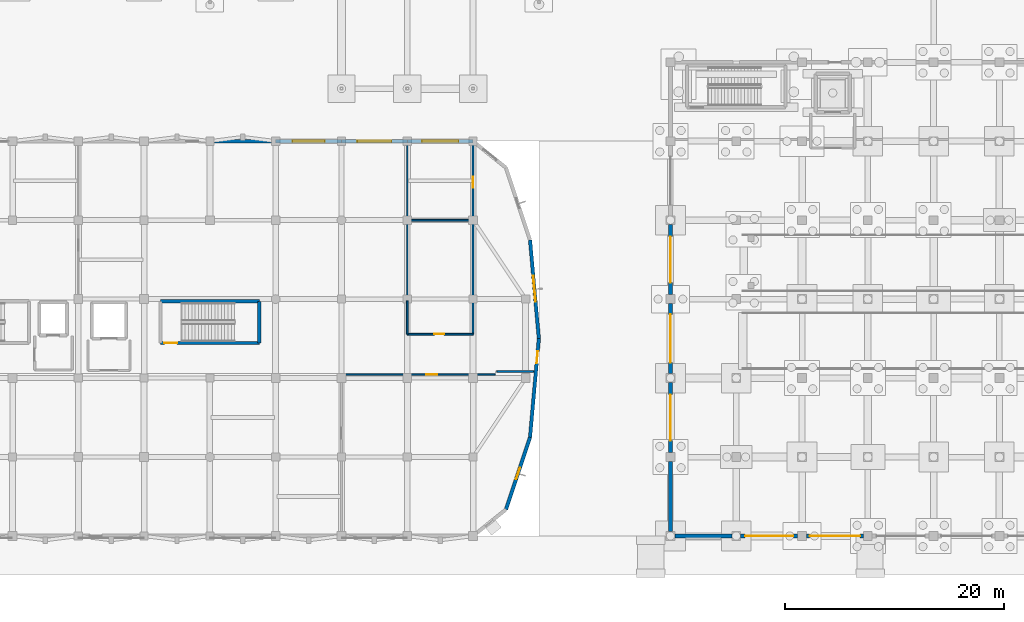
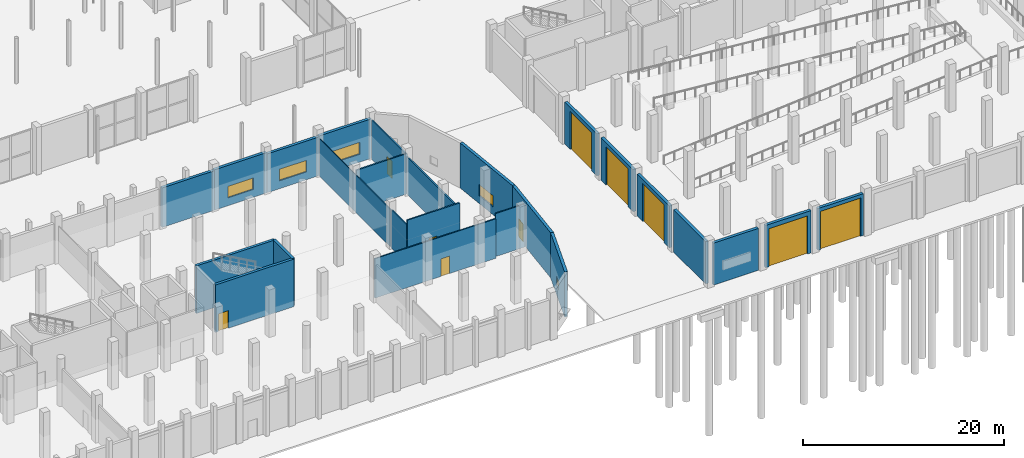
# One storey, part 78 of 103: 25 walls, 10 doors, 5 windows, 15 openings.
"""IFC4 building model written with IfcOpenShell, lengths in metres."""

import ifcopenshell
import ifcopenshell.guid

model = None  # the IFC model being written
_history = None  # IfcOwnerHistory: only IFC2X3 demands one
_inside = {}  # id of a spatial element -> (the spatial element, [elements in it])
_under = {}  # id of a project, library or spatial element -> (it, [spatial elements below it])
_declared = {}  # id of a project -> (the project, [libraries it declares])
_typed = {}  # id of a type object -> (the type object, [elements of that type])
_made_of = {}  # id of a material, layer set ... -> (it, [elements and type objects made of it])


def new_model(schema):
    """Start an empty IFC model of exactly this schema.

    Asked for "IFC4X3", IfcOpenShell would pick the latest addendum, in which some entities
    have other attributes; the version numbers below select the first issue.
    IFC2X3 requires an IfcOwnerHistory on every rooted entity: one is made here for all.
    """
    global model, _history
    if schema == "IFC4X3":
        model = ifcopenshell.file(schema_version=(4, 3, 0, 0))
    else:
        model = ifcopenshell.file(schema=schema)
    _inside.clear()
    _under.clear()
    _declared.clear()
    _typed.clear()
    _made_of.clear()
    _history = None
    if model.schema == "IFC2X3":
        org = make("IfcOrganization", Name="unknown")
        user = make(
            "IfcPersonAndOrganization",
            ThePerson=make("IfcPerson", FamilyName="unknown"),
            TheOrganization=org,
        )
        app = make(
            "IfcApplication",
            ApplicationDeveloper=org,
            Version="unknown",
            ApplicationFullName="unknown",
            ApplicationIdentifier="unknown",
        )
        _history = make(
            "IfcOwnerHistory",
            OwningUser=user,
            OwningApplication=app,
            ChangeAction="ADDED",
            CreationDate=0,
        )
    return model


def make(cls, **values):
    """One entity of the class cls with the attributes given. An attribute that is None is left unset."""
    return model.create_entity(
        cls, **{name: value for name, value in values.items() if value is not None}
    )


def rooted(cls, **values):
    """An entity with a GlobalId (a new one), such as an element, a storey or a relation."""
    return make(cls, GlobalId=ifcopenshell.guid.new(), OwnerHistory=_history, **values)


def si_unit(unit_type, name, prefix=None):
    """IfcSIUnit, for example si_unit("LENGTHUNIT", "METRE", prefix="MILLI")."""
    return make("IfcSIUnit", UnitType=unit_type, Prefix=prefix, Name=name)


def assignment(units):
    """IfcUnitAssignment: the units of a project."""
    return None if units is None else make("IfcUnitAssignment", Units=units)


def point(xyz):
    """IfcCartesianPoint."""
    return None if xyz is None else make("IfcCartesianPoint", Coordinates=xyz)


def direction(xyz):
    """IfcDirection."""
    return None if xyz is None else make("IfcDirection", DirectionRatios=xyz)


def frame(location, z_axis=None, x_axis=None):
    """IfcAxis2Placement3D, a coordinate frame: its origin and axes. An axis left out is left unset."""
    return make(
        "IfcAxis2Placement3D",
        Location=point(location),
        Axis=direction(z_axis),
        RefDirection=direction(x_axis),
    )


def frame_2d(location, x_axis=None):
    """IfcAxis2Placement2D, a coordinate frame in the plane: its origin and x axis."""
    return make(
        "IfcAxis2Placement2D", Location=point(location), RefDirection=direction(x_axis)
    )


def origin():
    """The frame at (0, 0, 0) with its axes left unset."""
    return frame((0.0, 0.0, 0.0))


def place(relative_to, where):
    """IfcLocalPlacement: puts the frame where relative to a parent placement (None: the world)."""
    return make(
        "IfcLocalPlacement", PlacementRelTo=relative_to, RelativePlacement=where
    )


def context(
    kind, dimensions, precision=None, world=None, true_north=None, identifier=None
):
    """IfcGeometricRepresentationContext, for example the 3D "Model" context."""
    return make(
        "IfcGeometricRepresentationContext",
        ContextIdentifier=identifier,
        ContextType=kind,
        CoordinateSpaceDimension=dimensions,
        Precision=precision,
        WorldCoordinateSystem=world,
        TrueNorth=true_north,
    )


def subcontext(parent, identifier, kind, view, scale=None):
    """IfcGeometricRepresentationSubContext, for example "Body" below "Model"."""
    return make(
        "IfcGeometricRepresentationSubContext",
        ContextIdentifier=identifier,
        ContextType=kind,
        ParentContext=parent,
        TargetScale=scale,
        TargetView=view,
    )


def project(units=None, contexts=None):
    """IfcProject with its units and contexts."""
    return rooted(
        "IfcProject",
        Name="project",
        RepresentationContexts=contexts,
        UnitsInContext=assignment(units),
    )


def spatial(cls, under=None, at=None, **own):
    """A site, building, storey or space (cls), placed at a placement, below another one or the project."""
    s = rooted(cls, ObjectPlacement=at, **own)
    if under is not None:
        _under.setdefault(under.id(), (under, []))[1].append(s)
    return s


def profile(cls, at=None, kind="AREA", **sizes):
    """A parametric profile (cls). Its sizes go by their IFC names, for example OverallWidth=200.0."""
    return make(cls, ProfileType=kind, Position=at, **sizes)


def rectangle(**sizes):
    """IfcRectangleProfileDef."""
    return profile("IfcRectangleProfileDef", **sizes)


def extrude(swept, where, along, depth):
    """IfcExtrudedAreaSolid: the profile swept, set in the frame where, extruded along a direction by depth."""
    return make(
        "IfcExtrudedAreaSolid",
        SweptArea=swept,
        Position=where,
        ExtrudedDirection=direction(along),
        Depth=depth,
    )


def shape(context_of_items, identifier, shape_type, items):
    """IfcShapeRepresentation: the items that make up one representation, for example the "Body"."""
    return make(
        "IfcShapeRepresentation",
        ContextOfItems=context_of_items,
        RepresentationIdentifier=identifier,
        RepresentationType=shape_type,
        Items=items,
    )


def material(Name=None, Category=None):
    """IfcMaterial."""
    return make("IfcMaterial", Name=Name, Category=Category)


def layer(
    of_material, thickness, ventilated=None, Name=None, Category=None, Priority=None
):
    """IfcMaterialLayer: one layer of a wall or slab, of a material (None: an air gap)."""
    return make(
        "IfcMaterialLayer",
        Material=of_material,
        LayerThickness=thickness,
        IsVentilated=ventilated,
        Name=Name,
        Category=Category,
        Priority=Priority,
    )


def layer_set(layers, Name=None):
    """IfcMaterialLayerSet."""
    return make("IfcMaterialLayerSet", MaterialLayers=layers, LayerSetName=Name)


def made_of(thing, what):
    """Note that an element or type object is made of a material, layer set ...; save() writes the relation."""
    if what is not None:
        _made_of.setdefault(what.id(), (what, []))[1].append(thing)
    return thing


def type_object(cls, material=None, **own):
    """A type object (cls), such as IfcWallType, which elements share."""
    return made_of(rooted(cls, **own), material)


def element(
    cls,
    number,
    at=None,
    inside=None,
    cuts=None,
    type_object=None,
    material=None,
    context=None,
    identifier="Body",
    shape_type=None,
    held_by="IfcProductDefinitionShape",
    body=None,
    shapes=None,
    **own,
):
    """One element of the class cls, such as IfcWall. Its Tag is "e" and its number.

    at: its placement. inside: the storey or other place that contains it. cuts: it is an
    opening in that element (IfcRelVoidsElement). A single representation is given by context,
    identifier, shape_type and body (its items); several are given by shapes. held_by: the class
    of the entity that holds the representations. save() writes the other relations.
    """
    e = rooted(cls, Tag="e%d" % number, ObjectPlacement=at, **own)
    if body is not None:
        shapes = [shape(context, identifier, shape_type, body)]
    if shapes is not None:
        e.Representation = make(held_by, Representations=shapes)
    if inside is not None:
        _inside.setdefault(inside.id(), (inside, []))[1].append(e)
    if cuts is not None:
        rooted(
            "IfcRelVoidsElement", RelatingBuildingElement=cuts, RelatedOpeningElement=e
        )
    if type_object is not None:
        _typed.setdefault(type_object.id(), (type_object, []))[1].append(e)
    return made_of(e, material)


def fill(opening, filler):
    """IfcRelFillsElement: the door or window that sits in an opening."""
    return rooted(
        "IfcRelFillsElement",
        RelatingOpeningElement=opening,
        RelatedBuildingElement=filler,
    )


def aggregate(whole, parts):
    """IfcRelAggregates: a whole, such as a stair, and the parts it consists of."""
    return rooted("IfcRelAggregates", RelatingObject=whole, RelatedObjects=parts)


def save(model, path):
    """Write the relations noted so far, then the file.

    IfcRelAggregates (storeys below a building ...), IfcRelContainedInSpatialStructure (elements
    in a storey), IfcRelDefinesByType, IfcRelAssociatesMaterial and IfcRelDeclares: one each for
    every whole, place, type object, material and project.
    """
    for whole, parts in _under.values():
        aggregate(whole, parts)
    for where, things in _inside.values():
        rooted(
            "IfcRelContainedInSpatialStructure",
            RelatedElements=things,
            RelatingStructure=where,
        )
    for kind, things in _typed.values():
        rooted("IfcRelDefinesByType", RelatedObjects=things, RelatingType=kind)
    for what, things in _made_of.values():
        rooted("IfcRelAssociatesMaterial", RelatedObjects=things, RelatingMaterial=what)
    for by, libraries in _declared.values():
        rooted("IfcRelDeclares", RelatingContext=by, RelatedDefinitions=libraries)
    model.write(path)


model = new_model("IFC4")

# Units and contexts
model_context = context("Model", 3, precision=1e-05, world=origin(), true_north=direction((0.0, 1.0)))
body_context = subcontext(model_context, "Body", "Model", "MODEL_VIEW")
ifc_project = project(units=[si_unit("LENGTHUNIT", "METRE"), si_unit("AREAUNIT", "SQUARE_METRE"), si_unit("VOLUMEUNIT", "CUBIC_METRE"), si_unit("PLANEANGLEUNIT", "RADIAN"), si_unit("MASSUNIT", "GRAM", prefix="KILO")], contexts=[model_context])

# Site, building, storey
site_placement = place(None, origin())
site = spatial("IfcSite", under=ifc_project, at=site_placement, CompositionType="ELEMENT")
building_placement = place(site_placement, origin())
building = spatial("IfcBuilding", under=site, at=building_placement, Name="Dunvalen Ferry Terminal", CompositionType="ELEMENT")
storey_placement = place(building_placement, origin())
storey = spatial("IfcBuildingStorey", under=building, at=storey_placement, Name="L00", CompositionType="ELEMENT", Elevation=0.0)

# Wall, opening, window
ifc_material_1 = material(Name="Precast concrete C40/50", Category="concrete")
ifc_layer_1 = layer(ifc_material_1, 0.320068359375, Name="Precast concrete C40/50")
ifc_layer_set_1 = layer_set([ifc_layer_1], Name="Precast concrete C40/50")
wall_type_1 = type_object("IfcWallType", Name="ENV-WL-SPN320", PredefinedType="SOLIDWALL", material=ifc_layer_set_1)
wall_1_placement = place(storey_placement, frame((93.0, 2.41162109375, 0.0), z_axis=(0.0, 0.0, 1.0), x_axis=(0.31624885857, 0.948676266939, 0.0)))
wall_1 = element("IfcWall", 1, at=wall_1_placement, inside=storey, type_object=wall_type_1, Name="L00 Streamline Moderne Facade Wall 03.01", PredefinedType="SOLIDWALL", context=body_context, shape_type="SweptSolid", body=[
    extrude(rectangle(XDim=6.94482421875, YDim=0.320068359375, at=frame_2d((3.472412109375, 0.0))), origin(), (0.0, 0.0, 1.0), 5.4599609375),
])
opening_1_placement = place(wall_1_placement, frame((2.92236328125, 0.0, 1.14990234375)))
opening_1 = element("IfcOpeningElement", 2, at=opening_1_placement, cuts=wall_1, Name="Opening W-41", PredefinedType="OPENING", context=body_context, shape_type="SweptSolid", body=[
    extrude(rectangle(XDim=1.10009765625, YDim=1.10009765625, at=frame_2d((0.550048828125, 0.550048828125))), frame((0.0, 0.169921875, 0.0), z_axis=(0.0, -1.0, 0.0), x_axis=(1.0, 0.0, 0.0)), (0.0, 0.0, 1.0), 0.340087890625),
])
ifc_material_2 = material(Name="Thermally broken aluminium and double glazing", Category="aluminium")
window_type_1 = type_object("IfcWindowType", Name="ENV-WIN-PRT-41", PartitioningType="SINGLE_PANEL", PredefinedType="WINDOW", material=ifc_material_2)
window_1_placement = place(opening_1_placement, origin())
window_1 = element("IfcWindow", 3, at=window_1_placement, inside=storey, type_object=window_type_1, Name="L00 Streamline Ribbon Window 03.01", OverallHeight=1.10009765625, OverallWidth=1.10009765625, PartitioningType="SINGLE_PANEL", PredefinedType="WINDOW", context=body_context, shape_type="SweptSolid", body=[
    extrude(rectangle(XDim=1.10009765625, YDim=1.10009765625, at=frame_2d((0.550048828125, 0.550048828125))), frame((0.0, 0.030029296875, 0.0), z_axis=(0.0, -1.0, 0.0), x_axis=(1.0, 0.0, 0.0)), (0.0, 0.0, 1.0), 0.06005859375),
])
fill(opening_1, window_1)

# Wall, opening, door
wall_2_placement = place(storey_placement, frame((95.1962890625, 9.0, 0.0), z_axis=(0.0, 0.0, 1.0), x_axis=(0.088947255406, 0.996036337568, 0.0)))
wall_2 = element("IfcWall", 4, at=wall_2_placement, inside=storey, type_object=wall_type_1, Name="L00 Streamline Moderne Facade Wall 04.01", PredefinedType="SOLIDWALL", context=body_context, shape_type="SweptSolid", body=[
    extrude(rectangle(XDim=9.035888671875, YDim=0.320068359375, at=frame_2d((4.51806640625, 0.0))), origin(), (0.0, 0.0, 1.0), 5.4599609375),
])
opening_2_placement = place(wall_2_placement, frame((6.785888671875, 0.0, 0.0)))
opening_2 = element("IfcOpeningElement", 5, at=opening_2_placement, cuts=wall_2, Name="Opening ED-06", PredefinedType="OPENING", context=body_context, shape_type="SweptSolid", body=[
    extrude(rectangle(XDim=1.10009765625, YDim=2.14990234375, at=frame_2d((0.550048828125, 1.074951171875))), frame((0.0, 0.169921875, 0.0), z_axis=(0.0, -1.0, 0.0), x_axis=(1.0, 0.0, 0.0)), (0.0, 0.0, 1.0), 0.340087890625),
])
ifc_material_3 = material(Name="Marine grade powder-coated aluminium and laminated glass", Category="aluminium")
door_type_1 = type_object("IfcDoorType", Name="ENV-DR-EXT-1100", OperationType="NOTDEFINED", PredefinedType="DOOR", material=ifc_material_3)
door_1_placement = place(opening_2_placement, frame((1.10009765625, 0.0, 0.0), z_axis=(0.0, 0.0, 1.0), x_axis=(-1.0, 0.0, 0.0)))
door_1 = element("IfcDoor", 6, at=door_1_placement, inside=storey, type_object=door_type_1, Name="L00 Maritime Wing East Prow Corridor Exit Door", OperationType="SINGLE_SWING_RIGHT", OverallHeight=2.14990234375, OverallWidth=1.10009765625, PredefinedType="DOOR", context=body_context, shape_type="SweptSolid", body=[
    extrude(rectangle(XDim=1.10009765625, YDim=2.14990234375, at=frame_2d((0.550048828125, 1.074951171875))), frame((0.0, 0.02490234375, 0.0), z_axis=(0.0, -1.0, 0.0), x_axis=(1.0, 0.0, 0.0)), (0.0, 0.0, 1.0), 0.050048828125),
])
fill(opening_2, door_1)

# Wall, opening, window
wall_3_placement = place(storey_placement, frame((96.0, 18.0, 0.0), z_axis=(0.0, 0.0, 1.0), x_axis=(-0.088947255406, 0.996036337568, 0.0)))
wall_3 = element("IfcWall", 7, at=wall_3_placement, inside=storey, type_object=wall_type_1, Name="L00 Streamline Moderne Facade Wall 05.01", PredefinedType="SOLIDWALL", context=body_context, shape_type="SweptSolid", body=[
    extrude(rectangle(XDim=9.035888671875, YDim=0.320068359375, at=frame_2d((4.51806640625, 0.0))), origin(), (0.0, 0.0, 1.0), 5.4599609375),
])
opening_3_placement = place(wall_3_placement, frame((3.36865234375, 0.0, 0.949951171875)))
opening_3 = element("IfcOpeningElement", 8, at=opening_3_placement, cuts=wall_3, Name="Opening W-10", PredefinedType="OPENING", context=body_context, shape_type="SweptSolid", body=[
    extrude(rectangle(XDim=2.39990234375, YDim=1.35009765625, at=frame_2d((1.199951171875, 0.675048828125))), frame((0.0, 0.169921875, 0.0), z_axis=(0.0, -1.0, 0.0), x_axis=(1.0, 0.0, 0.0)), (0.0, 0.0, 1.0), 0.340087890625),
])
window_type_2 = type_object("IfcWindowType", Name="ENV-WIN-RIB-10", PartitioningType="SINGLE_PANEL", PredefinedType="WINDOW", material=ifc_material_2)
window_2_placement = place(opening_3_placement, origin())
window_2 = element("IfcWindow", 9, at=window_2_placement, inside=storey, type_object=window_type_2, Name="L00 Streamline Ribbon Window 05.01", OverallHeight=1.35009765625, OverallWidth=2.39990234375, PartitioningType="SINGLE_PANEL", PredefinedType="WINDOW", context=body_context, shape_type="SweptSolid", body=[
    extrude(rectangle(XDim=2.39990234375, YDim=1.35009765625, at=frame_2d((1.199951171875, 0.675048828125))), frame((0.0, 0.030029296875, 0.0), z_axis=(0.0, -1.0, 0.0), x_axis=(1.0, 0.0, 0.0)), (0.0, 0.0, 1.0), 0.06005859375),
])
fill(opening_3, window_2)

wall_4_placement = place(storey_placement, frame((90.0, 36.0, 0.0), z_axis=(0.0, 0.0, 1.0), x_axis=(-1.0, 0.0, 0.0)))
wall_4 = element("IfcWall", 10, at=wall_4_placement, inside=storey, type_object=wall_type_1, Name="L00 Streamline Moderne Facade Wall 08.01", PredefinedType="SOLIDWALL", context=body_context, shape_type="SweptSolid", body=[
    extrude(rectangle(XDim=6.0, YDim=0.320068359375, at=frame_2d((3.0, 0.0))), origin(), (0.0, 0.0, 1.0), 4.7900390625),
])
opening_4_placement = place(wall_4_placement, frame((1.35009765625, 0.0, 0.949951171875)))
opening_4 = element("IfcOpeningElement", 11, at=opening_4_placement, cuts=wall_4, Name="Opening W-25", PredefinedType="OPENING", context=body_context, shape_type="SweptSolid", body=[
    extrude(rectangle(XDim=3.300048828125, YDim=1.449951171875, at=frame_2d((1.64990234375, 0.72509765625))), frame((0.0, 0.169921875, 0.0), z_axis=(0.0, -1.0, 0.0), x_axis=(1.0, 0.0, 0.0)), (0.0, 0.0, 1.0), 0.340087890625),
])
window_type_3 = type_object("IfcWindowType", Name="ENV-WIN-RIB-25", PartitioningType="SINGLE_PANEL", PredefinedType="WINDOW", material=ifc_material_2)
window_3_placement = place(opening_4_placement, origin())
window_3 = element("IfcWindow", 12, at=window_3_placement, inside=storey, type_object=window_type_3, Name="L00 Streamline Ribbon Window 08.01", OverallHeight=1.449951171875, OverallWidth=3.300048828125, PartitioningType="SINGLE_PANEL", PredefinedType="WINDOW", context=body_context, shape_type="SweptSolid", body=[
    extrude(rectangle(XDim=3.300048828125, YDim=1.449951171875, at=frame_2d((1.64990234375, 0.72509765625))), frame((0.0, 0.030029296875, 0.0), z_axis=(0.0, -1.0, 0.0), x_axis=(1.0, 0.0, 0.0)), (0.0, 0.0, 1.0), 0.06005859375),
])
fill(opening_4, window_3)

wall_5_placement = place(storey_placement, frame((84.0, 36.0, 0.0), z_axis=(0.0, 0.0, 1.0), x_axis=(-1.0, 0.0, 0.0)))
wall_5 = element("IfcWall", 13, at=wall_5_placement, inside=storey, type_object=wall_type_1, Name="L00 Streamline Moderne Facade Wall 08.02", PredefinedType="SOLIDWALL", context=body_context, shape_type="SweptSolid", body=[
    extrude(rectangle(XDim=6.0, YDim=0.320068359375, at=frame_2d((3.0, 0.0))), origin(), (0.0, 0.0, 1.0), 4.68994140625),
])
opening_5_placement = place(wall_5_placement, frame((1.449951171875, 0.0, 0.949951171875)))
opening_5 = element("IfcOpeningElement", 14, at=opening_5_placement, cuts=wall_5, Name="Opening W-26", PredefinedType="OPENING", context=body_context, shape_type="SweptSolid", body=[
    extrude(rectangle(XDim=3.10009765625, YDim=1.39990234375, at=frame_2d((1.550048828125, 0.699951171875))), frame((0.0, 0.169921875, 0.0), z_axis=(0.0, -1.0, 0.0), x_axis=(1.0, 0.0, 0.0)), (0.0, 0.0, 1.0), 0.340087890625),
])
window_type_4 = type_object("IfcWindowType", Name="ENV-WIN-RIB-26", PartitioningType="SINGLE_PANEL", PredefinedType="WINDOW", material=ifc_material_2)
window_4_placement = place(opening_5_placement, origin())
window_4 = element("IfcWindow", 15, at=window_4_placement, inside=storey, type_object=window_type_4, Name="L00 Streamline Ribbon Window 08.02", OverallHeight=1.39990234375, OverallWidth=3.10009765625, PartitioningType="SINGLE_PANEL", PredefinedType="WINDOW", context=body_context, shape_type="SweptSolid", body=[
    extrude(rectangle(XDim=3.10009765625, YDim=1.39990234375, at=frame_2d((1.550048828125, 0.699951171875))), frame((0.0, 0.030029296875, 0.0), z_axis=(0.0, -1.0, 0.0), x_axis=(1.0, 0.0, 0.0)), (0.0, 0.0, 1.0), 0.06005859375),
])
fill(opening_5, window_4)

wall_6_placement = place(storey_placement, frame((78.0, 36.0, 0.0), z_axis=(0.0, 0.0, 1.0), x_axis=(-1.0, 0.0, 0.0)))
wall_6 = element("IfcWall", 16, at=wall_6_placement, inside=storey, type_object=wall_type_1, Name="L00 Streamline Moderne Facade Wall 08.03", PredefinedType="SOLIDWALL", context=body_context, shape_type="SweptSolid", body=[
    extrude(rectangle(XDim=6.0, YDim=0.320068359375, at=frame_2d((3.0, 0.0))), origin(), (0.0, 0.0, 1.0), 4.889892578125),
])
opening_6_placement = place(wall_6_placement, frame((1.550048828125, 0.0, 0.949951171875)))
opening_6 = element("IfcOpeningElement", 17, at=opening_6_placement, cuts=wall_6, Name="Opening W-27", PredefinedType="OPENING", context=body_context, shape_type="SweptSolid", body=[
    extrude(rectangle(XDim=2.89990234375, YDim=1.39990234375, at=frame_2d((1.449951171875, 0.699951171875))), frame((0.0, 0.169921875, 0.0), z_axis=(0.0, -1.0, 0.0), x_axis=(1.0, 0.0, 0.0)), (0.0, 0.0, 1.0), 0.340087890625),
])
window_type_5 = type_object("IfcWindowType", Name="ENV-WIN-RIB-27", PartitioningType="SINGLE_PANEL", PredefinedType="WINDOW", material=ifc_material_2)
window_5_placement = place(opening_6_placement, origin())
window_5 = element("IfcWindow", 18, at=window_5_placement, inside=storey, type_object=window_type_5, Name="L00 Streamline Ribbon Window 08.03", OverallHeight=1.39990234375, OverallWidth=2.89990234375, PartitioningType="SINGLE_PANEL", PredefinedType="WINDOW", context=body_context, shape_type="SweptSolid", body=[
    extrude(rectangle(XDim=2.89990234375, YDim=1.39990234375, at=frame_2d((1.449951171875, 0.699951171875))), frame((0.0, 0.030029296875, 0.0), z_axis=(0.0, -1.0, 0.0), x_axis=(1.0, 0.0, 0.0)), (0.0, 0.0, 1.0), 0.06005859375),
])
fill(opening_6, window_5)

# Walls
wall_7_placement = place(storey_placement, frame((72.0, 36.0, 0.0), z_axis=(0.0, 0.0, 1.0), x_axis=(-1.0, 0.0, 0.0)))
element("IfcWall", 19, at=wall_7_placement, inside=storey, type_object=wall_type_1, Name="L00 Streamline Moderne Facade Wall 08.04", PredefinedType="SOLIDWALL", context=body_context, shape_type="SweptSolid", body=[
    extrude(rectangle(XDim=6.0, YDim=0.320068359375, at=frame_2d((3.0, 0.0))), origin(), (0.0, 0.0, 1.0), 4.7900390625),
])
ifc_material_4 = material(Name="Concrete C40/50", Category="concrete")
ifc_layer_2 = layer(ifc_material_4, 0.330078125, Name="Concrete C40/50")
ifc_layer_set_2 = layer_set([ifc_layer_2], Name="Concrete C40/50")
wall_type_2 = type_object("IfcWallType", Name="ENV-WL-VEH330", PredefinedType="SOLIDWALL", material=ifc_layer_set_2)
wall_8_placement = place(storey_placement, frame((108.402099609375, 0.0, 0.0), z_axis=(0.0, 0.0, 1.0), x_axis=(1.0, 0.0, 0.0)))
element("IfcWall", 20, at=wall_8_placement, inside=storey, type_object=wall_type_2, Name="L00 Vehicle Marshalling South Portal Wall 01", PredefinedType="SOLIDWALL", context=body_context, shape_type="SweptSolid", body=[
    extrude(rectangle(XDim=5.19580078125, YDim=0.330078125, at=frame_2d((2.597900390625, 0.0))), origin(), (0.0, 0.0, 1.0), 5.080078125),
])

# Wall, opening, door
wall_9_placement = place(storey_placement, frame((114.402099609375, 0.0, 0.0), z_axis=(0.0, 0.0, 1.0), x_axis=(1.0, 0.0, 0.0)))
wall_9 = element("IfcWall", 21, at=wall_9_placement, inside=storey, type_object=wall_type_2, Name="L00 Vehicle Marshalling South Portal Wall 02", PredefinedType="SOLIDWALL", context=body_context, shape_type="SweptSolid", body=[
    extrude(rectangle(XDim=5.19580078125, YDim=0.330078125, at=frame_2d((2.597900390625, 0.0))), origin(), (0.0, 0.0, 1.0), 5.1298828125),
])
opening_7_placement = place(wall_9_placement, frame((0.39794921875, 0.0, 0.0)))
opening_7 = element("IfcOpeningElement", 22, at=opening_7_placement, cuts=wall_9, Name="Opening VG-02", PredefinedType="OPENING", context=body_context, shape_type="SweptSolid", body=[
    extrude(rectangle(XDim=4.39990234375, YDim=4.6201171875, at=frame_2d((2.199951171875, 2.31005859375))), frame((0.0, 0.175048828125, 0.0), z_axis=(0.0, -1.0, 0.0), x_axis=(1.0, 0.0, 0.0)), (0.0, 0.0, 1.0), 0.35009765625),
])
door_type_2 = type_object("IfcDoorType", Name="ENV-GT-VEH-4500", OperationType="ROLLINGUP", PredefinedType="GATE", material=ifc_material_3)
door_2_placement = place(opening_7_placement, frame((4.39990234375, 0.0, 0.0), z_axis=(0.0, 0.0, 1.0), x_axis=(-1.0, 0.0, 0.0)))
door_2 = element("IfcDoor", 23, at=door_2_placement, inside=storey, type_object=door_type_2, Name="L00 South Ro-Ro Marshalling Portal Gate 02", OperationType="ROLLINGUP", OverallHeight=4.6201171875, OverallWidth=4.39990234375, PredefinedType="GATE", context=body_context, shape_type="SweptSolid", body=[
    extrude(rectangle(XDim=4.39990234375, YDim=4.6201171875, at=frame_2d((2.199951171875, 2.31005859375))), frame((0.0, 0.02490234375, 0.0), z_axis=(0.0, -1.0, 0.0), x_axis=(1.0, 0.0, 0.0)), (0.0, 0.0, 1.0), 0.050048828125),
])
fill(opening_7, door_2)

wall_10_placement = place(storey_placement, frame((120.402099609375, 0.0, 0.0), z_axis=(0.0, 0.0, 1.0), x_axis=(1.0, 0.0, 0.0)))
wall_10 = element("IfcWall", 24, at=wall_10_placement, inside=storey, type_object=wall_type_2, Name="L00 Vehicle Marshalling South Portal Wall 03", PredefinedType="SOLIDWALL", context=body_context, shape_type="SweptSolid", body=[
    extrude(rectangle(XDim=5.19580078125, YDim=0.330078125, at=frame_2d((2.597900390625, 0.0))), origin(), (0.0, 0.0, 1.0), 5.080078125),
])
opening_8_placement = place(wall_10_placement, frame((0.298095703125, 0.0, 0.0)))
opening_8 = element("IfcOpeningElement", 25, at=opening_8_placement, cuts=wall_10, Name="Opening VG-01", PredefinedType="OPENING", context=body_context, shape_type="SweptSolid", body=[
    extrude(rectangle(XDim=4.60009765625, YDim=4.64990234375, at=frame_2d((2.300048828125, 2.324951171875))), frame((0.0, 0.175048828125, 0.0), z_axis=(0.0, -1.0, 0.0), x_axis=(1.0, 0.0, 0.0)), (0.0, 0.0, 1.0), 0.35009765625),
])
door_type_3 = type_object("IfcDoorType", Name="ENV-GT-VEH-4800", OperationType="ROLLINGUP", PredefinedType="GATE", material=ifc_material_3)
door_3_placement = place(opening_8_placement, frame((4.60009765625, 0.0, 0.0), z_axis=(0.0, 0.0, 1.0), x_axis=(-1.0, 0.0, 0.0)))
door_3 = element("IfcDoor", 26, at=door_3_placement, inside=storey, type_object=door_type_3, Name="L00 South Ro-Ro Marshalling Portal Gate 03", OperationType="ROLLINGUP", OverallHeight=4.64990234375, OverallWidth=4.60009765625, PredefinedType="GATE", context=body_context, shape_type="SweptSolid", body=[
    extrude(rectangle(XDim=4.60009765625, YDim=4.64990234375, at=frame_2d((2.300048828125, 2.324951171875))), frame((0.0, 0.02490234375, 0.0), z_axis=(0.0, -1.0, 0.0), x_axis=(1.0, 0.0, 0.0)), (0.0, 0.0, 1.0), 0.050048828125),
])
fill(opening_8, door_3)

# Wall
wall_11_placement = place(storey_placement, frame((108.0, 0.402099609375, 0.0), z_axis=(0.0, 0.0, 1.0), x_axis=(0.0, 1.0, 0.0)))
element("IfcWall", 27, at=wall_11_placement, inside=storey, type_object=wall_type_2, Name="L00 Vehicle Marshalling W Portal Wall 01", PredefinedType="SOLIDWALL", context=body_context, shape_type="SweptSolid", body=[
    extrude(rectangle(XDim=6.39599609375, YDim=0.330078125, at=frame_2d((3.197998046875, 0.0))), origin(), (0.0, 0.0, 1.0), 5.1298828125),
])

# Wall, opening, door
wall_12_placement = place(storey_placement, frame((108.0, 7.60205078125, 0.0), z_axis=(0.0, 0.0, 1.0), x_axis=(0.0, 1.0, 0.0)))
wall_12 = element("IfcWall", 28, at=wall_12_placement, inside=storey, type_object=wall_type_2, Name="L00 Vehicle Marshalling W Portal Wall 02", PredefinedType="SOLIDWALL", context=body_context, shape_type="SweptSolid", body=[
    extrude(rectangle(XDim=6.39599609375, YDim=0.330078125, at=frame_2d((3.197998046875, 0.0))), origin(), (0.0, 0.0, 1.0), 5.080078125),
])
opening_9_placement = place(wall_12_placement, frame((1.097900390625, 0.0, 0.0)))
opening_9 = element("IfcOpeningElement", 29, at=opening_9_placement, cuts=wall_12, Name="Opening VG-03", PredefinedType="OPENING", context=body_context, shape_type="SweptSolid", body=[
    extrude(rectangle(XDim=4.199951171875, YDim=4.60009765625, at=frame_2d((2.10009765625, 2.300048828125))), frame((0.0, 0.175048828125, 0.0), z_axis=(0.0, -1.0, 0.0), x_axis=(1.0, 0.0, 0.0)), (0.0, 0.0, 1.0), 0.35009765625),
])
door_type_4 = type_object("IfcDoorType", Name="ENV-GT-VEH-4200", OperationType="ROLLINGUP", PredefinedType="GATE", material=ifc_material_3)
door_4_placement = place(opening_9_placement, origin())
door_4 = element("IfcDoor", 30, at=door_4_placement, inside=storey, type_object=door_type_4, Name="L00 W Ro-Ro Marshalling Portal Gate 02", OperationType="ROLLINGUP", OverallHeight=4.60009765625, OverallWidth=4.199951171875, PredefinedType="GATE", context=body_context, shape_type="SweptSolid", body=[
    extrude(rectangle(XDim=4.199951171875, YDim=4.60009765625, at=frame_2d((2.10009765625, 2.300048828125))), frame((0.0, 0.02490234375, 0.0), z_axis=(0.0, -1.0, 0.0), x_axis=(1.0, 0.0, 0.0)), (0.0, 0.0, 1.0), 0.050048828125),
])
fill(opening_9, door_4)

wall_13_placement = place(storey_placement, frame((108.0, 14.802001953125, 0.0), z_axis=(0.0, 0.0, 1.0), x_axis=(0.0, 1.0, 0.0)))
wall_13 = element("IfcWall", 31, at=wall_13_placement, inside=storey, type_object=wall_type_2, Name="L00 Vehicle Marshalling W Portal Wall 03", PredefinedType="SOLIDWALL", context=body_context, shape_type="SweptSolid", body=[
    extrude(rectangle(XDim=6.39599609375, YDim=0.330078125, at=frame_2d((3.197998046875, 0.0))), origin(), (0.0, 0.0, 1.0), 5.1298828125),
])
opening_10_placement = place(wall_13_placement, frame((0.998046875, 0.0, 0.0)))
opening_10 = element("IfcOpeningElement", 32, at=opening_10_placement, cuts=wall_13, Name="Opening VG-02", PredefinedType="OPENING", context=body_context, shape_type="SweptSolid", body=[
    extrude(rectangle(XDim=4.39990234375, YDim=4.6201171875, at=frame_2d((2.199951171875, 2.31005859375))), frame((0.0, 0.175048828125, 0.0), z_axis=(0.0, -1.0, 0.0), x_axis=(1.0, 0.0, 0.0)), (0.0, 0.0, 1.0), 0.35009765625),
])
door_5_placement = place(opening_10_placement, origin())
door_5 = element("IfcDoor", 33, at=door_5_placement, inside=storey, type_object=door_type_2, Name="L00 W Ro-Ro Marshalling Portal Gate 03", OperationType="ROLLINGUP", OverallHeight=4.6201171875, OverallWidth=4.39990234375, PredefinedType="GATE", context=body_context, shape_type="SweptSolid", body=[
    extrude(rectangle(XDim=4.39990234375, YDim=4.6201171875, at=frame_2d((2.199951171875, 2.31005859375))), frame((0.0, 0.02490234375, 0.0), z_axis=(0.0, -1.0, 0.0), x_axis=(1.0, 0.0, 0.0)), (0.0, 0.0, 1.0), 0.050048828125),
])
fill(opening_10, door_5)

wall_14_placement = place(storey_placement, frame((108.0, 22.001953125, 0.0), z_axis=(0.0, 0.0, 1.0), x_axis=(0.0, 1.0, 0.0)))
wall_14 = element("IfcWall", 34, at=wall_14_placement, inside=storey, type_object=wall_type_2, Name="L00 Vehicle Marshalling W Portal Wall 04", PredefinedType="SOLIDWALL", context=body_context, shape_type="SweptSolid", body=[
    extrude(rectangle(XDim=6.39599609375, YDim=0.330078125, at=frame_2d((3.197998046875, 0.0))), origin(), (0.0, 0.0, 1.0), 5.080078125),
])
opening_11_placement = place(wall_14_placement, frame((1.097900390625, 0.0, 0.0)))
opening_11 = element("IfcOpeningElement", 35, at=opening_11_placement, cuts=wall_14, Name="Opening VG-03", PredefinedType="OPENING", context=body_context, shape_type="SweptSolid", body=[
    extrude(rectangle(XDim=4.199951171875, YDim=4.60009765625, at=frame_2d((2.10009765625, 2.300048828125))), frame((0.0, 0.175048828125, 0.0), z_axis=(0.0, -1.0, 0.0), x_axis=(1.0, 0.0, 0.0)), (0.0, 0.0, 1.0), 0.35009765625),
])
door_6_placement = place(opening_11_placement, origin())
door_6 = element("IfcDoor", 36, at=door_6_placement, inside=storey, type_object=door_type_4, Name="L00 W Ro-Ro Marshalling Portal Gate 04", OperationType="ROLLINGUP", OverallHeight=4.60009765625, OverallWidth=4.199951171875, PredefinedType="GATE", context=body_context, shape_type="SweptSolid", body=[
    extrude(rectangle(XDim=4.199951171875, YDim=4.60009765625, at=frame_2d((2.10009765625, 2.300048828125))), frame((0.0, 0.02490234375, 0.0), z_axis=(0.0, -1.0, 0.0), x_axis=(1.0, 0.0, 0.0)), (0.0, 0.0, 1.0), 0.050048828125),
])
fill(opening_11, door_6)

# Walls
ifc_material_5 = material(Name="Framed acoustic glass partition", Category="glass")
ifc_layer_3 = layer(ifc_material_5, 0.10498046875, Name="Framed acoustic glass partition")
ifc_layer_set_3 = layer_set([ifc_layer_3], Name="Framed acoustic glass partition")
wall_type_3 = type_object("IfcWallType", Name="INT-WL-GLZ105", PredefinedType="PARTITIONING", material=ifc_layer_set_3)
wall_15_placement = place(storey_placement, frame((84.0, 21.60009765625, 0.0), z_axis=(0.0, 0.0, 1.0), x_axis=(0.0, 1.0, 0.0)))
element("IfcWall", 37, at=wall_15_placement, inside=storey, type_object=wall_type_3, Name="L00 L00 Ferry Crew Briefing and Muster Suite Partition 4", PredefinedType="PARTITIONING", context=body_context, shape_type="SweptSolid", body=[
    extrude(rectangle(XDim=14.179931640625, YDim=0.10498046875, at=frame_2d((7.08984375, 0.0))), origin(), (0.0, 0.0, 1.0), 4.5400390625),
])
ifc_material_6 = material(Name="Metal-stud gypsum partition", Category="gypsum")
ifc_layer_4 = layer(ifc_material_6, 0.139892578125, Name="Metal-stud gypsum partition")
ifc_layer_set_4 = layer_set([ifc_layer_4], Name="Metal-stud gypsum partition")
wall_type_4 = type_object("IfcWallType", Name="INT-WL-PRT140", PredefinedType="PARTITIONING", material=ifc_layer_set_4)
wall_16_placement = place(storey_placement, frame((95.51123046875, 15.0, 0.0), z_axis=(0.0, 0.0, 1.0), x_axis=(-1.0, 0.0, 0.0)))
element("IfcWall", 38, at=wall_16_placement, inside=storey, type_object=wall_type_4, Name="L00 L00 Harbour Reception and Passenger Assistance Lounge Partition 6", PredefinedType="PARTITIONING", context=body_context, shape_type="SweptSolid", body=[
    extrude(rectangle(XDim=3.351318359375, YDim=0.139892578125, at=frame_2d((1.67578125, 0.0))), origin(), (0.0, 0.0, 1.0), 5.199951171875),
])

# Wall, opening, door
wall_17_placement = place(storey_placement, frame((92.015625, 14.74072265625, 0.0), z_axis=(0.0, 0.0, 1.0), x_axis=(-0.999999998603, -5.2860642e-05, 0.0)))
wall_17 = element("IfcWall", 39, at=wall_17_placement, inside=storey, type_object=wall_type_4, Name="L00 L00 Harbour Reception and Passenger Assistance Lounge Partition 9", PredefinedType="PARTITIONING", context=body_context, shape_type="SweptSolid", body=[
    extrude(rectangle(XDim=13.855712890625, YDim=0.139892578125, at=frame_2d((6.927734375, 0.0))), origin(), (0.0, 0.0, 1.0), 4.7900390625),
])
opening_12_placement = place(wall_17_placement, frame((5.300537109375, 0.0, 0.0)))
opening_12 = element("IfcOpeningElement", 40, at=opening_12_placement, cuts=wall_17, Name="Opening ID-10", PredefinedType="OPENING", context=body_context, shape_type="SweptSolid", body=[
    extrude(rectangle(XDim=1.0, YDim=2.1201171875, at=frame_2d((0.5, 1.06005859375))), frame((0.0, 0.080078125, 0.0), z_axis=(0.0, -1.0, 0.0), x_axis=(1.0, 0.0, 0.0)), (0.0, 0.0, 1.0), 0.159912109375),
])
ifc_material_7 = material(Name="FSC European oak acoustic fire door", Category="wood")
door_type_5 = type_object("IfcDoorType", Name="INT-DR-OFF-1000", OperationType="NOTDEFINED", PredefinedType="DOOR", material=ifc_material_7)
door_7_placement = place(opening_12_placement, origin())
door_7 = element("IfcDoor", 41, at=door_7_placement, inside=storey, type_object=door_type_5, Name="L00 Harbour Reception and Passenger Assistance Lounge Door", OperationType="SINGLE_SWING_LEFT", OverallHeight=2.1201171875, OverallWidth=1.0, PredefinedType="DOOR", context=body_context, shape_type="SweptSolid", body=[
    extrude(rectangle(XDim=1.0, YDim=2.1201171875, at=frame_2d((0.5, 1.06005859375))), frame((0.0, 0.02490234375, 0.0), z_axis=(0.0, -1.0, 0.0), x_axis=(1.0, 0.0, 0.0)), (0.0, 0.0, 1.0), 0.050048828125),
])
fill(opening_12, door_7)

# Wall
ifc_material_8 = material(Name="Moisture-resistant tile-backer partition", Category="gypsum")
ifc_layer_5 = layer(ifc_material_8, 0.159912109375, Name="Moisture-resistant tile-backer partition")
ifc_layer_set_5 = layer_set([ifc_layer_5], Name="Moisture-resistant tile-backer partition")
wall_type_5 = type_object("IfcWallType", Name="INT-WL-PRT160", PredefinedType="PARTITIONING", material=ifc_layer_set_5)
wall_18_placement = place(storey_placement, frame((84.0, 21.43994140625, 0.0), z_axis=(0.0, 0.0, 1.0), x_axis=(0.0, -1.0, 0.0)))
element("IfcWall", 42, at=wall_18_placement, inside=storey, type_object=wall_type_5, Name="L00 L00 Maritime Wing Public Toilets Partition 4", PredefinedType="PARTITIONING", context=body_context, shape_type="SweptSolid", body=[
    extrude(rectangle(XDim=3.0400390625, YDim=0.159912109375, at=frame_2d((1.52001953125, 0.0))), origin(), (0.0, 0.0, 1.0), 4.639892578125),
])

# Wall, opening, door
wall_19_placement = place(storey_placement, frame((84.0, 18.39990234375, 0.0), z_axis=(0.0, 0.0, 1.0), x_axis=(1.0, 0.0, 0.0)))
wall_19 = element("IfcWall", 43, at=wall_19_placement, inside=storey, type_object=wall_type_5, Name="L00 L00 Maritime Wing Public Toilets Partition 5", PredefinedType="PARTITIONING", context=body_context, shape_type="SweptSolid", body=[
    extrude(rectangle(XDim=6.0, YDim=0.159912109375, at=frame_2d((3.0, 0.0))), origin(), (0.0, 0.0, 1.0), 5.199951171875),
])
opening_13_placement = place(wall_19_placement, frame((2.464111328125, 0.0, 0.0)))
opening_13 = element("IfcOpeningElement", 44, at=opening_13_placement, cuts=wall_19, Name="Opening ID-14", PredefinedType="OPENING", context=body_context, shape_type="SweptSolid", body=[
    extrude(rectangle(XDim=0.919921875, YDim=2.10009765625, at=frame_2d((0.4599609375, 1.050048828125))), frame((0.0, 0.08984375, 0.0), z_axis=(0.0, -1.0, 0.0), x_axis=(1.0, 0.0, 0.0)), (0.0, 0.0, 1.0), 0.179931640625),
])
ifc_material_9 = material(Name="High-pressure laminate door", Category="wood")
door_type_6 = type_object("IfcDoorType", Name="INT-DR-WC-0920", OperationType="NOTDEFINED", PredefinedType="DOOR", material=ifc_material_9)
door_8_placement = place(opening_13_placement, origin())
door_8 = element("IfcDoor", 45, at=door_8_placement, inside=storey, type_object=door_type_6, Name="L00 Maritime Wing Public Toilets Door", OperationType="SINGLE_SWING_LEFT", OverallHeight=2.10009765625, OverallWidth=0.919921875, PredefinedType="DOOR", context=body_context, shape_type="SweptSolid", body=[
    extrude(rectangle(XDim=0.919921875, YDim=2.10009765625, at=frame_2d((0.4599609375, 1.050048828125))), frame((0.0, 0.02490234375, 0.0), z_axis=(0.0, -1.0, 0.0), x_axis=(1.0, 0.0, 0.0)), (0.0, 0.0, 1.0), 0.050048828125),
])
fill(opening_13, door_8)

# Walls
wall_20_placement = place(storey_placement, frame((90.0, 18.39990234375, 0.0), z_axis=(0.0, 0.0, 1.0), x_axis=(0.0, 1.0, 0.0)))
element("IfcWall", 46, at=wall_20_placement, inside=storey, type_object=wall_type_5, Name="L00 L00 Maritime Wing Public Toilets Partition 6", PredefinedType="PARTITIONING", context=body_context, shape_type="SweptSolid", body=[
    extrude(rectangle(XDim=10.400146484375, YDim=0.159912109375, at=frame_2d((5.2001953125, 0.0))), origin(), (0.0, 0.0, 1.0), 4.5400390625),
])
wall_21_placement = place(storey_placement, frame((90.0, 28.800048828125, 0.0), z_axis=(0.0, 0.0, 1.0), x_axis=(-1.0, 0.0, 0.0)))
element("IfcWall", 47, at=wall_21_placement, inside=storey, type_object=wall_type_5, Name="L00 L00 Maritime Wing Public Toilets Partition 7", PredefinedType="PARTITIONING", context=body_context, shape_type="SweptSolid", body=[
    extrude(rectangle(XDim=5.840087890625, YDim=0.159912109375, at=frame_2d((2.919921875, 0.0))), origin(), (0.0, 0.0, 1.0), 4.889892578125),
])

# Wall, opening, door
wall_22_placement = place(storey_placement, frame((90.0, 28.9599609375, 0.0), z_axis=(0.0, 0.0, 1.0), x_axis=(0.0, 1.0, 0.0)))
wall_22 = element("IfcWall", 48, at=wall_22_placement, inside=storey, type_object=wall_type_5, Name="L00 L00 Maritime Wing Accessible WC Partition 4", PredefinedType="PARTITIONING", context=body_context, shape_type="SweptSolid", body=[
    extrude(rectangle(XDim=6.7578125, YDim=0.159912109375, at=frame_2d((3.37890625, 0.0))), origin(), (0.0, 0.0, 1.0), 4.739990234375),
])
opening_14_placement = place(wall_22_placement, frame((2.792236328125, 0.0, 0.0)))
opening_14 = element("IfcOpeningElement", 49, at=opening_14_placement, cuts=wall_22, Name="Opening ID-13", PredefinedType="OPENING", context=body_context, shape_type="SweptSolid", body=[
    extrude(rectangle(XDim=1.02001953125, YDim=2.10009765625, at=frame_2d((0.510009765625, 1.050048828125))), frame((0.0, 0.08984375, 0.0), z_axis=(0.0, -1.0, 0.0), x_axis=(1.0, 0.0, 0.0)), (0.0, 0.0, 1.0), 0.179931640625),
])
ifc_material_10 = material(Name="High-pressure laminate moisture-resistant door", Category="wood")
door_type_7 = type_object("IfcDoorType", Name="INT-DR-WC-1020", OperationType="NOTDEFINED", PredefinedType="DOOR", material=ifc_material_10)
door_9_placement = place(opening_14_placement, origin())
door_9 = element("IfcDoor", 50, at=door_9_placement, inside=storey, type_object=door_type_7, Name="L00 Maritime Wing Accessible WC Door", OperationType="SINGLE_SWING_RIGHT", OverallHeight=2.10009765625, OverallWidth=1.02001953125, PredefinedType="DOOR", context=body_context, shape_type="SweptSolid", body=[
    extrude(rectangle(XDim=1.02001953125, YDim=2.10009765625, at=frame_2d((0.510009765625, 1.050048828125))), frame((0.0, 0.02490234375, 0.0), z_axis=(0.0, -1.0, 0.0), x_axis=(1.0, 0.0, 0.0)), (0.0, 0.0, 1.0), 0.050048828125),
])
fill(opening_14, door_9)

# Walls
ifc_layer_6 = layer(ifc_material_4, 0.300048828125, Name="Concrete C40/50")
ifc_layer_set_6 = layer_set([ifc_layer_6], Name="Concrete C40/50")
wall_type_6 = type_object("IfcWallType", Name="STR-WL-SHR300", PredefinedType="SHEAR", material=ifc_layer_set_6)
wall_23_placement = place(storey_placement, frame((70.5, 17.60009765625, 0.0), z_axis=(0.0, 0.0, 1.0), x_axis=(0.0, 1.0, 0.0)))
element("IfcWall", 51, at=wall_23_placement, inside=storey, type_object=wall_type_6, Name="L00 ST3 Core East Shear Wall", PredefinedType="SHEAR", context=body_context, shape_type="SweptSolid", body=[
    extrude(rectangle(XDim=3.7998046875, YDim=0.300048828125, at=frame_2d((1.89990234375, 0.0))), origin(), (0.0, 0.0, 1.0), 5.760009765625),
])
wall_24_placement = place(storey_placement, frame((61.5, 21.39990234375, 0.0), z_axis=(0.0, 0.0, 1.0), x_axis=(1.0, 0.0, 0.0)))
element("IfcWall", 52, at=wall_24_placement, inside=storey, type_object=wall_type_6, Name="L00 ST3 Core North Shear Wall", PredefinedType="SHEAR", context=body_context, shape_type="SweptSolid", body=[
    extrude(rectangle(XDim=9.0, YDim=0.300048828125, at=frame_2d((4.5, 0.0))), origin(), (0.0, 0.0, 1.0), 5.760009765625),
])

# Wall, opening, door
wall_25_placement = place(storey_placement, frame((61.5, 17.60009765625, 0.0), z_axis=(0.0, 0.0, 1.0), x_axis=(1.0, 0.0, 0.0)))
wall_25 = element("IfcWall", 53, at=wall_25_placement, inside=storey, type_object=wall_type_6, Name="L00 ST3 Core South Shear Wall", PredefinedType="SHEAR", context=body_context, shape_type="SweptSolid", body=[
    extrude(rectangle(XDim=9.0, YDim=0.300048828125, at=frame_2d((4.5, 0.0))), origin(), (0.0, 0.0, 1.0), 5.760009765625),
])
opening_15_placement = place(wall_25_placement, frame((0.35009765625, 0.0, 0.0)))
opening_15 = element("IfcOpeningElement", 54, at=opening_15_placement, cuts=wall_25, Name="Opening ID-02", PredefinedType="OPENING", context=body_context, shape_type="SweptSolid", body=[
    extrude(rectangle(XDim=1.14990234375, YDim=2.14990234375, at=frame_2d((0.574951171875, 1.074951171875))), frame((0.0, 0.16015625, 0.0), z_axis=(0.0, -1.0, 0.0), x_axis=(1.0, 0.0, 0.0)), (0.0, 0.0, 1.0), 0.320068359375),
])
ifc_material_11 = material(Name="Powder-coated steel fire door", Category="steel")
door_type_8 = type_object("IfcDoorType", Name="INT-DR-STR-1150", OperationType="NOTDEFINED", PredefinedType="DOOR", material=ifc_material_11)
door_10_placement = place(opening_15_placement, frame((1.14990234375, 0.0, 0.0), z_axis=(0.0, 0.0, 1.0), x_axis=(-1.0, 0.0, 0.0)))
door_10 = element("IfcDoor", 55, at=door_10_placement, inside=storey, type_object=door_type_8, Name="L00 ST3 Escape Stair Fire Door", OperationType="SINGLE_SWING_RIGHT", OverallHeight=2.14990234375, OverallWidth=1.14990234375, PredefinedType="DOOR", context=body_context, shape_type="SweptSolid", body=[
    extrude(rectangle(XDim=1.14990234375, YDim=2.14990234375, at=frame_2d((0.574951171875, 1.074951171875))), frame((0.0, 0.02490234375, 0.0), z_axis=(0.0, -1.0, 0.0), x_axis=(1.0, 0.0, 0.0)), (0.0, 0.0, 1.0), 0.050048828125),
])
fill(opening_15, door_10)

save(model, "model.ifc")
